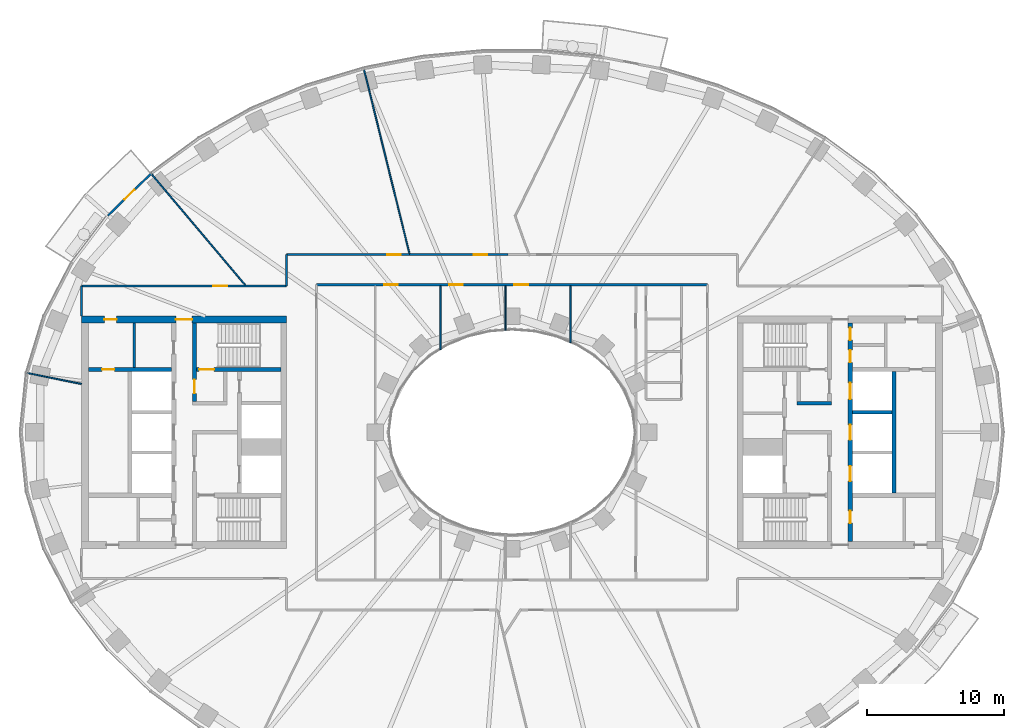
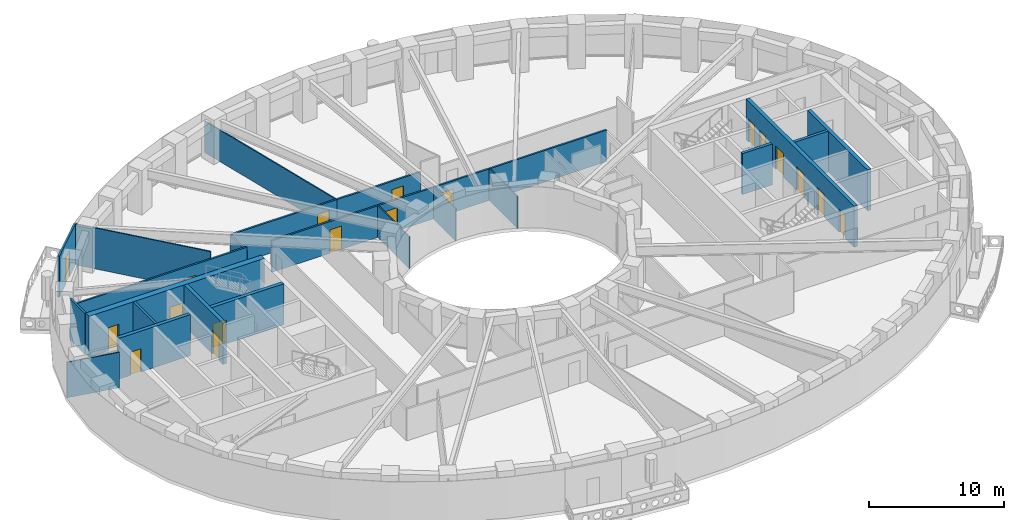
# One storey, part 5 of 16: 22 walls, 18 doors, 18 openings.
"""IFC4 building model written with IfcOpenShell, lengths in metres."""

from ifc_helpers import new_model, si_unit, direction, frame, frame_2d, origin, place, context, subcontext, project, spatial, rectangle, extrude, material, layer, layer_set, type_object, element, fill, save


model = new_model("IFC4")

# Units and contexts
model_context = context("Model", 3, precision=1e-05, world=origin(), true_north=direction((0.0, 1.0)))
body_context = subcontext(model_context, "Body", "Model", "MODEL_VIEW")
ifc_project = project(units=[si_unit("LENGTHUNIT", "METRE"), si_unit("AREAUNIT", "SQUARE_METRE"), si_unit("VOLUMEUNIT", "CUBIC_METRE"), si_unit("PLANEANGLEUNIT", "RADIAN"), si_unit("MASSUNIT", "GRAM", prefix="KILO")], contexts=[model_context])

# Site, building, storey
site_placement = place(None, origin())
site = spatial("IfcSite", under=ifc_project, at=site_placement, CompositionType="ELEMENT")
building_placement = place(site_placement, origin())
building = spatial("IfcBuilding", under=site, at=building_placement, Name="Noorbagh Ring Tower", CompositionType="ELEMENT")
storey_placement = place(building_placement, frame((0.0, 0.0, 100.0)))
storey = spatial("IfcBuildingStorey", under=building, at=storey_placement, Name="L22", CompositionType="ELEMENT", Elevation=100.0)

# Walls
ifc_material_1 = material(Name="Gypsum board on steel studs", Category="steel")
ifc_layer_1 = layer(ifc_material_1, 0.199951171875)
ifc_layer_set_1 = layer_set([ifc_layer_1], Name="Gypsum board on steel studs")
wall_type_1 = type_object("IfcWallType", Name="CORE-PARTITION-200", PredefinedType="PARTITIONING", material=ifc_layer_set_1)
wall_1_placement = place(storey_placement, frame((-27.64990234375, 4.75, 0.0), z_axis=(0.0, 0.0, 1.0), x_axis=(0.0, 1.0, 0.0)))
element("IfcWall", 1, at=wall_1_placement, inside=storey, type_object=wall_type_1, Name="Core partition W", PredefinedType="PARTITIONING", context=body_context, shape_type="SweptSolid", body=[
    extrude(rectangle(XDim=3.25, YDim=0.199951171875, at=frame_2d((1.625, 0.0))), origin(), (0.0, 0.0, 1.0), 3.699951171875),
])
ifc_material_2 = material(Name="Concrete C70/85", Category="concrete")
ifc_layer_2 = layer(ifc_material_2, 0.25)
ifc_layer_set_2 = layer_set([ifc_layer_2], Name="Concrete C70/85")
wall_type_2 = type_object("IfcWallType", Name="CORE-WALL-250-C70-85-EI120", PredefinedType="SHEAR", material=ifc_layer_set_2)
wall_2_placement = place(storey_placement, frame((24.89990234375, 1.47509765625, 0.0), z_axis=(0.0, 0.0, 1.0), x_axis=(1.0, 0.0, 0.0)))
element("IfcWall", 2, at=wall_2_placement, inside=storey, type_object=wall_type_2, Name="Core wall E", PredefinedType="SHEAR", context=body_context, shape_type="SweptSolid", body=[
    extrude(rectangle(XDim=2.900146484375, YDim=0.25, at=frame_2d((1.4501953125, 0.0))), origin(), (0.0, 0.0, 1.0), 3.699951171875),
])
ifc_material_3 = material(Name="Concrete C70/85", Category="concrete")
ifc_layer_3 = layer(ifc_material_3, 0.25)
ifc_layer_set_3 = layer_set([ifc_layer_3], Name="Concrete C70/85")
wall_type_3 = type_object("IfcWallType", Name="CORE-WALL-250-C70-85-EI240", PredefinedType="SHEAR", material=ifc_layer_set_3)
wall_3_placement = place(storey_placement, frame((20.85009765625, 2.125, 0.0), z_axis=(0.0, 0.0, 1.0), x_axis=(1.0, 0.0, 0.0)))
element("IfcWall", 3, at=wall_3_placement, inside=storey, type_object=wall_type_3, Name="Core wall E", PredefinedType="SHEAR", context=body_context, shape_type="SweptSolid", body=[
    extrude(rectangle(XDim=2.52978515625, YDim=0.25, at=frame_2d((1.264892578125, 0.0))), origin(), (0.0, 0.0, 1.0), 3.699951171875),
])
ifc_material_4 = material(Name="Concrete C70/85", Category="concrete")
ifc_layer_4 = layer(ifc_material_4, 0.300048828125)
ifc_layer_set_4 = layer_set([ifc_layer_4], Name="Concrete C70/85")
wall_type_4 = type_object("IfcWallType", Name="CORE-WALL-300-C70-85-EI120", PredefinedType="SHEAR", material=ifc_layer_set_4)
wall_4_placement = place(storey_placement, frame((27.949951171875, -4.449951171875, 0.0), z_axis=(0.0, 0.0, 1.0), x_axis=(0.0, 1.0, 0.0)))
element("IfcWall", 4, at=wall_4_placement, inside=storey, type_object=wall_type_4, Name="Core wall E", PredefinedType="SHEAR", context=body_context, shape_type="SweptSolid", body=[
    extrude(rectangle(XDim=8.89990234375, YDim=0.300048828125, at=frame_2d((4.449951171875, 0.0))), origin(), (0.0, 0.0, 1.0), 3.699951171875),
])

# Wall, openings, doors
wall_5_placement = place(storey_placement, frame((24.75, -8.0, 0.0), z_axis=(0.0, 0.0, 1.0), x_axis=(0.0, 1.0, 0.0)))
wall_5 = element("IfcWall", 5, at=wall_5_placement, inside=storey, type_object=wall_type_4, Name="Core wall E", PredefinedType="SHEAR", context=body_context, shape_type="SweptSolid", body=[
    extrude(rectangle(XDim=16.0, YDim=0.300048828125, at=frame_2d((8.0, 0.0))), origin(), (0.0, 0.0, 1.0), 3.699951171875),
])
opening_1_placement = place(wall_5_placement, frame((4.425048828125, 0.0, 0.0)))
opening_1 = element("IfcOpeningElement", 6, at=opening_1_placement, cuts=wall_5, Name="Opening L22-CE02", PredefinedType="OPENING", context=body_context, shape_type="SweptSolid", body=[
    extrude(rectangle(XDim=1.10009765625, YDim=2.10009765625, at=frame_2d((0.550048828125, 1.050048828125))), frame((0.0, 0.16015625, 0.0), z_axis=(0.0, -1.0, 0.0), x_axis=(1.0, 0.0, 0.0)), (0.0, 0.0, 1.0), 0.320068359375),
])
opening_2_placement = place(wall_5_placement, frame((7.449951171875, 0.0, 0.0)))
opening_2 = element("IfcOpeningElement", 7, at=opening_2_placement, cuts=wall_5, Name="Opening L22-CE03", PredefinedType="OPENING", context=body_context, shape_type="SweptSolid", body=[
    extrude(rectangle(XDim=1.10009765625, YDim=2.10009765625, at=frame_2d((0.550048828125, 1.050048828125))), frame((0.0, 0.16015625, 0.0), z_axis=(0.0, -1.0, 0.0), x_axis=(1.0, 0.0, 0.0)), (0.0, 0.0, 1.0), 0.320068359375),
])
opening_3_placement = place(wall_5_placement, frame((10.425048828125, 0.0, 0.0)))
opening_3 = element("IfcOpeningElement", 8, at=opening_3_placement, cuts=wall_5, Name="Opening L22-CE04", PredefinedType="OPENING", context=body_context, shape_type="SweptSolid", body=[
    extrude(rectangle(XDim=1.199951171875, YDim=2.10009765625, at=frame_2d((0.60009765625, 1.050048828125))), frame((0.0, 0.16015625, 0.0), z_axis=(0.0, -1.0, 0.0), x_axis=(1.0, 0.0, 0.0)), (0.0, 0.0, 1.0), 0.320068359375),
])
opening_4_placement = place(wall_5_placement, frame((13.125, 0.0, 0.0)))
opening_4 = element("IfcOpeningElement", 9, at=opening_4_placement, cuts=wall_5, Name="Opening L22-CE13", PredefinedType="OPENING", context=body_context, shape_type="SweptSolid", body=[
    extrude(rectangle(XDim=0.89990234375, YDim=2.10009765625, at=frame_2d((0.449951171875, 1.050048828125))), frame((0.0, 0.16015625, 0.0), z_axis=(0.0, -1.0, 0.0), x_axis=(1.0, 0.0, 0.0)), (0.0, 0.0, 1.0), 0.320068359375),
])
opening_5_placement = place(wall_5_placement, frame((14.75, 0.0, 0.0)))
opening_5 = element("IfcOpeningElement", 10, at=opening_5_placement, cuts=wall_5, Name="Opening L22-CE14", PredefinedType="OPENING", context=body_context, shape_type="SweptSolid", body=[
    extrude(rectangle(XDim=0.89990234375, YDim=2.10009765625, at=frame_2d((0.449951171875, 1.050048828125))), frame((0.0, 0.16015625, 0.0), z_axis=(0.0, -1.0, 0.0), x_axis=(1.0, 0.0, 0.0)), (0.0, 0.0, 1.0), 0.320068359375),
])
opening_6_placement = place(wall_5_placement, frame((1.35009765625, 0.0, 0.0)))
opening_6 = element("IfcOpeningElement", 11, at=opening_6_placement, cuts=wall_5, Name="Opening L22-CE16", PredefinedType="OPENING", context=body_context, shape_type="SweptSolid", body=[
    extrude(rectangle(XDim=0.89990234375, YDim=2.10009765625, at=frame_2d((0.449951171875, 1.050048828125))), frame((0.0, 0.16015625, 0.0), z_axis=(0.0, -1.0, 0.0), x_axis=(1.0, 0.0, 0.0)), (0.0, 0.0, 1.0), 0.320068359375),
])
ifc_material_5 = material(Name="Steel door leaf", Category="steel")
door_type_1 = type_object("IfcDoorType", Name="CORE-DOOR-DROOM", OperationType="SINGLE_SWING_LEFT", PredefinedType="DOOR", material=ifc_material_5)
door_1_placement = place(opening_4_placement, origin())
door_1 = element("IfcDoor", 12, at=door_1_placement, inside=storey, type_object=door_type_1, Name="Core room door L22-CE13", OperationType="SINGLE_SWING_RIGHT", OverallHeight=2.10009765625, OverallWidth=0.89990234375, PredefinedType="DOOR", context=body_context, shape_type="SweptSolid", body=[
    extrude(rectangle(XDim=0.89990234375, YDim=2.10009765625, at=frame_2d((0.449951171875, 1.050048828125))), frame((0.0, 0.02490234375, 0.0), z_axis=(0.0, -1.0, 0.0), x_axis=(1.0, 0.0, 0.0)), (0.0, 0.0, 1.0), 0.050048828125),
])
fill(opening_4, door_1)
door_2_placement = place(opening_5_placement, origin())
door_2 = element("IfcDoor", 13, at=door_2_placement, inside=storey, type_object=door_type_1, Name="Core room door L22-CE14", OperationType="SINGLE_SWING_LEFT", OverallHeight=2.10009765625, OverallWidth=0.89990234375, PredefinedType="DOOR", context=body_context, shape_type="SweptSolid", body=[
    extrude(rectangle(XDim=0.89990234375, YDim=2.10009765625, at=frame_2d((0.449951171875, 1.050048828125))), frame((0.0, 0.02490234375, 0.0), z_axis=(0.0, -1.0, 0.0), x_axis=(1.0, 0.0, 0.0)), (0.0, 0.0, 1.0), 0.050048828125),
])
fill(opening_5, door_2)
door_3_placement = place(opening_6_placement, origin())
door_3 = element("IfcDoor", 14, at=door_3_placement, inside=storey, type_object=door_type_1, Name="Core room door L22-CE16", OperationType="SINGLE_SWING_RIGHT", OverallHeight=2.10009765625, OverallWidth=0.89990234375, PredefinedType="DOOR", context=body_context, shape_type="SweptSolid", body=[
    extrude(rectangle(XDim=0.89990234375, YDim=2.10009765625, at=frame_2d((0.449951171875, 1.050048828125))), frame((0.0, 0.02490234375, 0.0), z_axis=(0.0, -1.0, 0.0), x_axis=(1.0, 0.0, 0.0)), (0.0, 0.0, 1.0), 0.050048828125),
])
fill(opening_6, door_3)
ifc_material_6 = material(Name="Steel door leaf", Category="steel")
door_type_2 = type_object("IfcDoorType", Name="CORE-DOOR-LD", OperationType="DOUBLE_DOOR_SLIDING", PredefinedType="DOOR", material=ifc_material_6)
door_4_placement = place(opening_1_placement, origin())
door_4 = element("IfcDoor", 15, at=door_4_placement, inside=storey, type_object=door_type_2, Name="Landing door LR3 L22-CE02", OperationType="DOUBLE_DOOR_SLIDING", OverallHeight=2.10009765625, OverallWidth=1.10009765625, PredefinedType="DOOR", context=body_context, shape_type="SweptSolid", body=[
    extrude(rectangle(XDim=1.10009765625, YDim=2.10009765625, at=frame_2d((0.550048828125, 1.050048828125))), frame((0.0, 0.02490234375, 0.0), z_axis=(0.0, -1.0, 0.0), x_axis=(1.0, 0.0, 0.0)), (0.0, 0.0, 1.0), 0.050048828125),
])
fill(opening_1, door_4)
door_5_placement = place(opening_2_placement, origin())
door_5 = element("IfcDoor", 16, at=door_5_placement, inside=storey, type_object=door_type_2, Name="Landing door LR4 L22-CE03", OperationType="DOUBLE_DOOR_SLIDING", OverallHeight=2.10009765625, OverallWidth=1.10009765625, PredefinedType="DOOR", context=body_context, shape_type="SweptSolid", body=[
    extrude(rectangle(XDim=1.10009765625, YDim=2.10009765625, at=frame_2d((0.550048828125, 1.050048828125))), frame((0.0, 0.02490234375, 0.0), z_axis=(0.0, -1.0, 0.0), x_axis=(1.0, 0.0, 0.0)), (0.0, 0.0, 1.0), 0.050048828125),
])
fill(opening_2, door_5)
ifc_material_7 = material(Name="Steel door leaf", Category="steel")
door_type_3 = type_object("IfcDoorType", Name="CORE-DOOR-LDW", OperationType="DOUBLE_DOOR_SLIDING", PredefinedType="DOOR", material=ifc_material_7)
door_6_placement = place(opening_3_placement, origin())
door_6 = element("IfcDoor", 17, at=door_6_placement, inside=storey, type_object=door_type_3, Name="Landing door SV2 L22-CE04", OperationType="DOUBLE_DOOR_SLIDING", OverallHeight=2.10009765625, OverallWidth=1.199951171875, PredefinedType="DOOR", context=body_context, shape_type="SweptSolid", body=[
    extrude(rectangle(XDim=1.199951171875, YDim=2.10009765625, at=frame_2d((0.60009765625, 1.050048828125))), frame((0.0, 0.02490234375, 0.0), z_axis=(0.0, -1.0, 0.0), x_axis=(1.0, 0.0, 0.0)), (0.0, 0.0, 1.0), 0.050048828125),
])
fill(opening_3, door_6)

# Wall, opening, door
ifc_material_8 = material(Name="Concrete C70/85", Category="concrete")
ifc_layer_5 = layer(ifc_material_8, 0.300048828125)
ifc_layer_set_5 = layer_set([ifc_layer_5], Name="Concrete C70/85")
wall_type_5 = type_object("IfcWallType", Name="CORE-WALL-300-C70-85-EI240", PredefinedType="SHEAR", material=ifc_layer_set_5)
wall_6_placement = place(storey_placement, frame((-24.89990234375, 4.60009765625, 0.0), z_axis=(0.0, 0.0, 1.0), x_axis=(-1.0, 0.0, 0.0)))
wall_6 = element("IfcWall", 18, at=wall_6_placement, inside=storey, type_object=wall_type_5, Name="Core wall W", PredefinedType="SHEAR", context=body_context, shape_type="SweptSolid", body=[
    extrude(rectangle(XDim=6.10009765625, YDim=0.300048828125, at=frame_2d((3.050048828125, 0.0))), origin(), (0.0, 0.0, 1.0), 3.699951171875),
])
opening_7_placement = place(wall_6_placement, frame((4.199951171875, 0.0, 0.0)))
opening_7 = element("IfcOpeningElement", 19, at=opening_7_placement, cuts=wall_6, Name="Opening L22-CW17", PredefinedType="OPENING", context=body_context, shape_type="SweptSolid", body=[
    extrude(rectangle(XDim=0.89990234375, YDim=2.10009765625, at=frame_2d((0.449951171875, 1.050048828125))), frame((0.0, 0.16015625, 0.0), z_axis=(0.0, -1.0, 0.0), x_axis=(1.0, 0.0, 0.0)), (0.0, 0.0, 1.0), 0.320068359375),
])
door_7_placement = place(opening_7_placement, origin())
door_7 = element("IfcDoor", 20, at=door_7_placement, inside=storey, type_object=door_type_1, Name="Core room door L22-CW17", OperationType="SINGLE_SWING_LEFT", OverallHeight=2.10009765625, OverallWidth=0.89990234375, PredefinedType="DOOR", context=body_context, shape_type="SweptSolid", body=[
    extrude(rectangle(XDim=0.89990234375, YDim=2.10009765625, at=frame_2d((0.449951171875, 1.050048828125))), frame((0.0, 0.02490234375, 0.0), z_axis=(0.0, -1.0, 0.0), x_axis=(1.0, 0.0, 0.0)), (0.0, 0.0, 1.0), 0.050048828125),
])
fill(opening_7, door_7)

wall_7_placement = place(storey_placement, frame((-23.22998046875, 2.25, 0.0), z_axis=(0.0, 0.0, 1.0), x_axis=(0.0, 1.0, 0.0)))
wall_7 = element("IfcWall", 21, at=wall_7_placement, inside=storey, type_object=wall_type_5, Name="Core wall W", PredefinedType="SHEAR", context=body_context, shape_type="SweptSolid", body=[
    extrude(rectangle(XDim=5.75, YDim=0.300048828125, at=frame_2d((2.875, 0.0))), origin(), (0.0, 0.0, 1.0), 3.699951171875),
])
opening_8_placement = place(wall_7_placement, frame((0.60009765625, 0.0, 0.0)))
opening_8 = element("IfcOpeningElement", 22, at=opening_8_placement, cuts=wall_7, Name="Opening L22-CW08", PredefinedType="OPENING", context=body_context, shape_type="SweptSolid", body=[
    extrude(rectangle(XDim=1.0, YDim=2.10009765625, at=frame_2d((0.5, 1.050048828125))), frame((0.0, 0.16015625, 0.0), z_axis=(0.0, -1.0, 0.0), x_axis=(1.0, 0.0, 0.0)), (0.0, 0.0, 1.0), 0.320068359375),
])
ifc_material_9 = material(Name="Steel door leaf", Category="steel")
door_type_4 = type_object("IfcDoorType", Name="CORE-DOOR-DVEST", OperationType="SINGLE_SWING_LEFT", PredefinedType="DOOR", material=ifc_material_9)
door_8_placement = place(opening_8_placement, origin())
door_8 = element("IfcDoor", 23, at=door_8_placement, inside=storey, type_object=door_type_4, Name="Stair vestibule door L22-CW08", OperationType="SINGLE_SWING_LEFT", OverallHeight=2.10009765625, OverallWidth=1.0, PredefinedType="DOOR", context=body_context, shape_type="SweptSolid", body=[
    extrude(rectangle(XDim=1.0, YDim=2.10009765625, at=frame_2d((0.5, 1.050048828125))), frame((0.0, 0.02490234375, 0.0), z_axis=(0.0, -1.0, 0.0), x_axis=(1.0, 0.0, 0.0)), (0.0, 0.0, 1.0), 0.050048828125),
])
fill(opening_8, door_8)

wall_8_placement = place(storey_placement, frame((-16.89990234375, 4.60009765625, 0.0), z_axis=(0.0, 0.0, 1.0), x_axis=(-1.0, 0.0, 0.0)))
wall_8 = element("IfcWall", 24, at=wall_8_placement, inside=storey, type_object=wall_type_5, Name="Core wall W", PredefinedType="SHEAR", context=body_context, shape_type="SweptSolid", body=[
    extrude(rectangle(XDim=6.18017578125, YDim=0.300048828125, at=frame_2d((3.090087890625, 0.0))), origin(), (0.0, 0.0, 1.0), 3.699951171875),
])
opening_9_placement = place(wall_8_placement, frame((4.89990234375, 0.0, 0.0)))
opening_9 = element("IfcOpeningElement", 25, at=opening_9_placement, cuts=wall_8, Name="Opening L22-CW05", PredefinedType="OPENING", context=body_context, shape_type="SweptSolid", body=[
    extrude(rectangle(XDim=1.10009765625, YDim=2.10009765625, at=frame_2d((0.550048828125, 1.050048828125))), frame((0.0, 0.16015625, 0.0), z_axis=(0.0, -1.0, 0.0), x_axis=(1.0, 0.0, 0.0)), (0.0, 0.0, 1.0), 0.320068359375),
])
ifc_material_10 = material(Name="Steel door leaf", Category="steel")
door_type_5 = type_object("IfcDoorType", Name="CORE-DOOR-DSTAIR", OperationType="SINGLE_SWING_LEFT", PredefinedType="DOOR", material=ifc_material_10)
door_9_placement = place(opening_9_placement, origin())
door_9 = element("IfcDoor", 26, at=door_9_placement, inside=storey, type_object=door_type_5, Name="Stair door ST1 L22-CW05", OperationType="SINGLE_SWING_RIGHT", OverallHeight=2.10009765625, OverallWidth=1.10009765625, PredefinedType="DOOR", context=body_context, shape_type="SweptSolid", body=[
    extrude(rectangle(XDim=1.10009765625, YDim=2.10009765625, at=frame_2d((0.550048828125, 1.050048828125))), frame((0.0, 0.02490234375, 0.0), z_axis=(0.0, -1.0, 0.0), x_axis=(1.0, 0.0, 0.0)), (0.0, 0.0, 1.0), 0.050048828125),
])
fill(opening_9, door_9)

# Wall, openings, doors
ifc_material_11 = material(Name="Concrete C70/85", Category="concrete")
ifc_layer_6 = layer(ifc_material_11, 0.5)
ifc_layer_set_6 = layer_set([ifc_layer_6], Name="Concrete C70/85")
wall_type_6 = type_object("IfcWallType", Name="CORE-WALL-500-C70-85-EI240", PredefinedType="SHEAR", material=ifc_layer_set_6)
wall_9_placement = place(storey_placement, frame((-16.5, 8.25, 0.0), z_axis=(0.0, 0.0, 1.0), x_axis=(-1.0, 0.0, 0.0)))
wall_9 = element("IfcWall", 27, at=wall_9_placement, inside=storey, type_object=wall_type_6, Name="Core wall W", PredefinedType="SHEAR", context=body_context, shape_type="SweptSolid", body=[
    extrude(rectangle(XDim=15.0, YDim=0.5, at=frame_2d((7.5, 0.0))), origin(), (0.0, 0.0, 1.0), 3.699951171875),
])
opening_10_placement = place(wall_9_placement, frame((6.89990234375, 0.0, 0.0)))
opening_10 = element("IfcOpeningElement", 28, at=opening_10_placement, cuts=wall_9, Name="Opening L22-CW09", PredefinedType="OPENING", context=body_context, shape_type="SweptSolid", body=[
    extrude(rectangle(XDim=1.199951171875, YDim=2.10009765625, at=frame_2d((0.60009765625, 1.050048828125))), frame((0.0, 0.260009765625, 0.0), z_axis=(0.0, -1.0, 0.0), x_axis=(1.0, 0.0, 0.0)), (0.0, 0.0, 1.0), 0.52001953125),
])
opening_11_placement = place(wall_9_placement, frame((12.425048828125, 0.0, 0.0)))
opening_11 = element("IfcOpeningElement", 29, at=opening_11_placement, cuts=wall_9, Name="Opening L22-CW13", PredefinedType="OPENING", context=body_context, shape_type="SweptSolid", body=[
    extrude(rectangle(XDim=0.89990234375, YDim=2.10009765625, at=frame_2d((0.449951171875, 1.050048828125))), frame((0.0, 0.260009765625, 0.0), z_axis=(0.0, -1.0, 0.0), x_axis=(1.0, 0.0, 0.0)), (0.0, 0.0, 1.0), 0.52001953125),
])
door_10_placement = place(opening_11_placement, origin())
door_10 = element("IfcDoor", 30, at=door_10_placement, inside=storey, type_object=door_type_1, Name="Core room door L22-CW13", OperationType="SINGLE_SWING_RIGHT", OverallHeight=2.10009765625, OverallWidth=0.89990234375, PredefinedType="DOOR", context=body_context, shape_type="SweptSolid", body=[
    extrude(rectangle(XDim=0.89990234375, YDim=2.10009765625, at=frame_2d((0.449951171875, 1.050048828125))), frame((0.0, 0.02490234375, 0.0), z_axis=(0.0, -1.0, 0.0), x_axis=(1.0, 0.0, 0.0)), (0.0, 0.0, 1.0), 0.050048828125),
])
fill(opening_11, door_10)
ifc_material_12 = material(Name="Steel door leaf", Category="steel")
door_type_6 = type_object("IfcDoorType", Name="CORE-DOOR-PORT", OperationType="DOUBLE_DOOR_DOUBLE_SWING", PredefinedType="DOOR", material=ifc_material_12)
door_11_placement = place(opening_10_placement, origin())
door_11 = element("IfcDoor", 31, at=door_11_placement, inside=storey, type_object=door_type_6, Name="Core entrance door L22-CW09", OperationType="DOUBLE_DOOR_DOUBLE_SWING", OverallHeight=2.10009765625, OverallWidth=1.199951171875, PredefinedType="DOOR", context=body_context, shape_type="SweptSolid", body=[
    extrude(rectangle(XDim=1.199951171875, YDim=2.10009765625, at=frame_2d((0.60009765625, 1.050048828125))), frame((0.0, 0.02490234375, 0.0), z_axis=(0.0, -1.0, 0.0), x_axis=(1.0, 0.0, 0.0)), (0.0, 0.0, 1.0), 0.050048828125),
])
fill(opening_10, door_11)

# Wall
ifc_material_13 = material(Name="Gypsum board on steel studs", Category="steel")
ifc_layer_7 = layer(ifc_material_13, 0.14990234375)
ifc_layer_set_7 = layer_set([ifc_layer_7], Name="Gypsum board on steel studs")
wall_type_7 = type_object("IfcWallType", Name="CORRIDOR PARTITION 150 EI 30", PredefinedType="PARTITIONING", material=ifc_layer_set_7)
wall_10_placement = place(storey_placement, frame((-31.5, 8.5, 0.0), z_axis=(0.0, 0.0, 1.0), x_axis=(0.0, 1.0, 0.0)))
element("IfcWall", 32, at=wall_10_placement, inside=storey, type_object=wall_type_7, Name="L22/wall/P05", PredefinedType="PARTITIONING", context=body_context, shape_type="SweptSolid", body=[
    extrude(rectangle(XDim=2.199951171875, YDim=0.14990234375, at=frame_2d((1.10009765625, 0.0))), origin(), (0.0, 0.0, 1.0), 3.699951171875),
])

# Wall, opening, door
wall_11_placement = place(storey_placement, frame((-31.5, 10.699951171875, 0.0), z_axis=(0.0, 0.0, 1.0), x_axis=(1.0, 0.0, 0.0)))
wall_11 = element("IfcWall", 33, at=wall_11_placement, inside=storey, type_object=wall_type_7, Name="L22/wall/P06", PredefinedType="PARTITIONING", context=body_context, shape_type="SweptSolid", body=[
    extrude(rectangle(XDim=15.0, YDim=0.14990234375, at=frame_2d((7.5, 0.0))), origin(), (0.0, 0.0, 1.0), 3.10009765625),
])
opening_12_placement = place(wall_11_placement, frame((9.655029296875, 0.0, 0.0)))
opening_12 = element("IfcOpeningElement", 34, at=opening_12_placement, cuts=wall_11, Name="Opening D1", PredefinedType="OPENING", context=body_context, shape_type="SweptSolid", body=[
    extrude(rectangle(XDim=1.0, YDim=2.10009765625, at=frame_2d((0.5, 1.050048828125))), frame((0.0, 0.0849609375, 0.0), z_axis=(0.0, -1.0, 0.0), x_axis=(1.0, 0.0, 0.0)), (0.0, 0.0, 1.0), 0.169921875),
])
ifc_material_14 = material(Name="Timber, painted", Category="wood")
door_type_7 = type_object("IfcDoorType", Name="DOOR 1000 X 2100 FD30", OperationType="SINGLE_SWING_LEFT", PredefinedType="DOOR", material=ifc_material_14)
door_12_placement = place(opening_12_placement, origin())
door_12 = element("IfcDoor", 35, at=door_12_placement, inside=storey, type_object=door_type_7, Name="L22-D07", OperationType="SINGLE_SWING_LEFT", OverallHeight=2.10009765625, OverallWidth=1.0, PredefinedType="DOOR", context=body_context, shape_type="SweptSolid", body=[
    extrude(rectangle(XDim=1.0, YDim=2.10009765625, at=frame_2d((0.5, 1.050048828125))), frame((0.0, 0.02490234375, 0.0), z_axis=(0.0, -1.0, 0.0), x_axis=(1.0, 0.0, 0.0)), (0.0, 0.0, 1.0), 0.050048828125),
])
fill(opening_12, door_12)

# Wall
wall_12_placement = place(storey_placement, frame((-16.5, 10.699951171875, 0.0), z_axis=(0.0, 0.0, 1.0), x_axis=(0.0, 1.0, 0.0)))
element("IfcWall", 36, at=wall_12_placement, inside=storey, type_object=wall_type_7, Name="L22/wall/P11", PredefinedType="PARTITIONING", context=body_context, shape_type="SweptSolid", body=[
    extrude(rectangle(XDim=2.300048828125, YDim=0.14990234375, at=frame_2d((1.14990234375, 0.0))), origin(), (0.0, 0.0, 1.0), 2.75),
])

# Wall, opening, door
wall_13_placement = place(storey_placement, frame((-16.5, 13.0, 0.0), z_axis=(0.0, 0.0, 1.0), x_axis=(1.0, 0.0, 0.0)))
wall_13 = element("IfcWall", 37, at=wall_13_placement, inside=storey, type_object=wall_type_7, Name="L22/wall/P12", PredefinedType="PARTITIONING", context=body_context, shape_type="SweptSolid", body=[
    extrude(rectangle(XDim=9.0009765625, YDim=0.14990234375, at=frame_2d((4.50048828125, 0.0))), origin(), (0.0, 0.0, 1.0), 2.85009765625),
])
opening_13_placement = place(wall_13_placement, frame((7.366943359375, 0.0, 0.0)))
opening_13 = element("IfcOpeningElement", 38, at=opening_13_placement, cuts=wall_13, Name="Opening D1", PredefinedType="OPENING", context=body_context, shape_type="SweptSolid", body=[
    extrude(rectangle(XDim=1.0, YDim=2.10009765625, at=frame_2d((0.5, 1.050048828125))), frame((0.0, 0.0849609375, 0.0), z_axis=(0.0, -1.0, 0.0), x_axis=(1.0, 0.0, 0.0)), (0.0, 0.0, 1.0), 0.169921875),
])
door_13_placement = place(opening_13_placement, origin())
door_13 = element("IfcDoor", 39, at=door_13_placement, inside=storey, type_object=door_type_7, Name="L22-D09", OperationType="SINGLE_SWING_LEFT", OverallHeight=2.10009765625, OverallWidth=1.0, PredefinedType="DOOR", context=body_context, shape_type="SweptSolid", body=[
    extrude(rectangle(XDim=1.0, YDim=2.10009765625, at=frame_2d((0.5, 1.050048828125))), frame((0.0, 0.02490234375, 0.0), z_axis=(0.0, -1.0, 0.0), x_axis=(1.0, 0.0, 0.0)), (0.0, 0.0, 1.0), 0.050048828125),
])
fill(opening_13, door_13)

# Wall, openings, doors
wall_14_placement = place(storey_placement, frame((-14.300048828125, 10.800048828125, 0.0), z_axis=(0.0, 0.0, 1.0), x_axis=(1.0, 0.0, 0.0)))
wall_14 = element("IfcWall", 40, at=wall_14_placement, inside=storey, type_object=wall_type_7, Name="L22/wall/P15", PredefinedType="PARTITIONING", context=body_context, shape_type="SweptSolid", body=[
    extrude(rectangle(XDim=28.60009765625, YDim=0.14990234375, at=frame_2d((14.300048828125, 0.0))), origin(), (0.0, 0.0, 1.0), 2.85009765625),
])
opening_14_placement = place(wall_14_placement, frame((4.93994140625, 0.0, 0.0)))
opening_14 = element("IfcOpeningElement", 41, at=opening_14_placement, cuts=wall_14, Name="Opening D1", PredefinedType="OPENING", context=body_context, shape_type="SweptSolid", body=[
    extrude(rectangle(XDim=1.0, YDim=2.10009765625, at=frame_2d((0.5, 1.050048828125))), frame((0.0, 0.0849609375, 0.0), z_axis=(0.0, -1.0, 0.0), x_axis=(1.0, 0.0, 0.0)), (0.0, 0.0, 1.0), 0.169921875),
])
opening_15_placement = place(wall_14_placement, frame((9.70703125, 0.0, 0.0)))
opening_15 = element("IfcOpeningElement", 42, at=opening_15_placement, cuts=wall_14, Name="Opening D1", PredefinedType="OPENING", context=body_context, shape_type="SweptSolid", body=[
    extrude(rectangle(XDim=1.0, YDim=2.10009765625, at=frame_2d((0.5, 1.050048828125))), frame((0.0, 0.0849609375, 0.0), z_axis=(0.0, -1.0, 0.0), x_axis=(1.0, 0.0, 0.0)), (0.0, 0.0, 1.0), 0.169921875),
])
opening_16_placement = place(wall_14_placement, frame((14.472900390625, 0.0, 0.0)))
opening_16 = element("IfcOpeningElement", 43, at=opening_16_placement, cuts=wall_14, Name="Opening D1", PredefinedType="OPENING", context=body_context, shape_type="SweptSolid", body=[
    extrude(rectangle(XDim=1.0, YDim=2.10009765625, at=frame_2d((0.5, 1.050048828125))), frame((0.0, 0.0849609375, 0.0), z_axis=(0.0, -1.0, 0.0), x_axis=(1.0, 0.0, 0.0)), (0.0, 0.0, 1.0), 0.169921875),
])
door_14_placement = place(opening_14_placement, origin())
door_14 = element("IfcDoor", 44, at=door_14_placement, inside=storey, type_object=door_type_7, Name="L22-D17", OperationType="SINGLE_SWING_LEFT", OverallHeight=2.10009765625, OverallWidth=1.0, PredefinedType="DOOR", context=body_context, shape_type="SweptSolid", body=[
    extrude(rectangle(XDim=1.0, YDim=2.10009765625, at=frame_2d((0.5, 1.050048828125))), frame((0.0, 0.02490234375, 0.0), z_axis=(0.0, -1.0, 0.0), x_axis=(1.0, 0.0, 0.0)), (0.0, 0.0, 1.0), 0.050048828125),
])
fill(opening_14, door_14)
door_15_placement = place(opening_15_placement, origin())
door_15 = element("IfcDoor", 45, at=door_15_placement, inside=storey, type_object=door_type_7, Name="L22-D19", OperationType="SINGLE_SWING_LEFT", OverallHeight=2.10009765625, OverallWidth=1.0, PredefinedType="DOOR", context=body_context, shape_type="SweptSolid", body=[
    extrude(rectangle(XDim=1.0, YDim=2.10009765625, at=frame_2d((0.5, 1.050048828125))), frame((0.0, 0.02490234375, 0.0), z_axis=(0.0, -1.0, 0.0), x_axis=(1.0, 0.0, 0.0)), (0.0, 0.0, 1.0), 0.050048828125),
])
fill(opening_15, door_15)
door_16_placement = place(opening_16_placement, origin())
door_16 = element("IfcDoor", 46, at=door_16_placement, inside=storey, type_object=door_type_7, Name="L22-D21", OperationType="SINGLE_SWING_LEFT", OverallHeight=2.10009765625, OverallWidth=1.0, PredefinedType="DOOR", context=body_context, shape_type="SweptSolid", body=[
    extrude(rectangle(XDim=1.0, YDim=2.10009765625, at=frame_2d((0.5, 1.050048828125))), frame((0.0, 0.02490234375, 0.0), z_axis=(0.0, -1.0, 0.0), x_axis=(1.0, 0.0, 0.0)), (0.0, 0.0, 1.0), 0.050048828125),
])
fill(opening_16, door_16)

# Wall, opening, door
wall_15_placement = place(storey_placement, frame((-7.48291015625, 13.0, 0.0), z_axis=(0.0, 0.0, 1.0), x_axis=(1.0, 0.0, 0.0)))
wall_15 = element("IfcWall", 47, at=wall_15_placement, inside=storey, type_object=wall_type_7, Name="L22/wall/P18", PredefinedType="PARTITIONING", context=body_context, shape_type="SweptSolid", body=[
    extrude(rectangle(XDim=7.183837890625, YDim=0.14990234375, at=frame_2d((3.591796875, 0.0))), origin(), (0.0, 0.0, 1.0), 2.85009765625),
])
opening_17_placement = place(wall_15_placement, frame((4.68310546875, 0.0, 0.0)))
opening_17 = element("IfcOpeningElement", 48, at=opening_17_placement, cuts=wall_15, Name="Opening D1", PredefinedType="OPENING", context=body_context, shape_type="SweptSolid", body=[
    extrude(rectangle(XDim=1.0, YDim=2.10009765625, at=frame_2d((0.5, 1.050048828125))), frame((0.0, 0.0849609375, 0.0), z_axis=(0.0, -1.0, 0.0), x_axis=(1.0, 0.0, 0.0)), (0.0, 0.0, 1.0), 0.169921875),
])
door_17_placement = place(opening_17_placement, origin())
door_17 = element("IfcDoor", 49, at=door_17_placement, inside=storey, type_object=door_type_7, Name="L22-D11", OperationType="SINGLE_SWING_LEFT", OverallHeight=2.10009765625, OverallWidth=1.0, PredefinedType="DOOR", context=body_context, shape_type="SweptSolid", body=[
    extrude(rectangle(XDim=1.0, YDim=2.10009765625, at=frame_2d((0.5, 1.050048828125))), frame((0.0, 0.02490234375, 0.0), z_axis=(0.0, -1.0, 0.0), x_axis=(1.0, 0.0, 0.0)), (0.0, 0.0, 1.0), 0.050048828125),
])
fill(opening_17, door_17)

ifc_material_15 = material(Name="Insulated aluminium clad panel", Category="aluminium")
ifc_layer_8 = layer(ifc_material_15, 0.14990234375)
ifc_layer_set_8 = layer_set([ifc_layer_8], Name="Insulated aluminium clad panel")
wall_type_8 = type_object("IfcWallType", Name="ENV-WALL-DOOR", PredefinedType="STANDARD", material=ifc_layer_set_8)
wall_16_placement = place(storey_placement, frame((-26.396484375, 18.943359375, 0.0), z_axis=(0.0, 0.0, 1.0), x_axis=(-0.717214761864, -0.696852197647, 0.0)))
wall_16 = element("IfcWall", 50, at=wall_16_placement, inside=storey, type_object=wall_type_8, Name="Balcony door wall chord 19", PredefinedType="STANDARD", context=body_context, shape_type="SweptSolid", body=[
    extrude(rectangle(XDim=4.424072265625, YDim=0.14990234375, at=frame_2d((2.2119140625, 0.0))), origin(), (0.0, 0.0, 1.0), 3.699951171875),
])
opening_18_placement = place(wall_16_placement, frame((1.712158203125, 0.0, 0.0)))
opening_18 = element("IfcOpeningElement", 51, at=opening_18_placement, cuts=wall_16, Name="Opening D-BL", PredefinedType="OPENING", context=body_context, shape_type="SweptSolid", body=[
    extrude(rectangle(XDim=1.0, YDim=2.39990234375, at=frame_2d((0.5, 1.199951171875))), frame((0.0, 0.0849609375, 0.0), z_axis=(0.0, -1.0, 0.0), x_axis=(1.0, 0.0, 0.0)), (0.0, 0.0, 1.0), 0.169921875),
])
ifc_material_16 = material(Name="Aluminium and glass", Category="aluminium")
door_type_8 = type_object("IfcDoorType", Name="ENV-DOOR-BALCONY", OperationType="SINGLE_SWING_LEFT", PredefinedType="DOOR", material=ifc_material_16)
door_18_placement = place(opening_18_placement, origin())
door_18 = element("IfcDoor", 52, at=door_18_placement, inside=storey, type_object=door_type_8, Name="Balcony door chord 19", OperationType="SINGLE_SWING_LEFT", OverallHeight=2.39990234375, OverallWidth=1.0, PredefinedType="DOOR", context=body_context, shape_type="SweptSolid", body=[
    extrude(rectangle(XDim=1.0, YDim=2.39990234375, at=frame_2d((0.5, 1.199951171875))), frame((0.0, 0.02490234375, 0.0), z_axis=(0.0, -1.0, 0.0), x_axis=(1.0, 0.0, 0.0)), (0.0, 0.0, 1.0), 0.050048828125),
])
fill(opening_18, door_18)

# Walls
ifc_material_17 = material(Name="Gypsum board on steel studs", Category="steel")
ifc_layer_9 = layer(ifc_material_17, 0.10009765625)
ifc_layer_set_9 = layer_set([ifc_layer_9], Name="Gypsum board on steel studs")
wall_type_9 = type_object("IfcWallType", Name="PARTITION 100 GYPSUM", PredefinedType="PARTITIONING", material=ifc_layer_set_9)
wall_17_placement = place(storey_placement, frame((-35.511962890625, 4.34912109375, 0.0), z_axis=(0.0, 0.0, 1.0), x_axis=(0.980357474535, -0.197228857227, 0.0)))
element("IfcWall", 53, at=wall_17_placement, inside=storey, type_object=wall_type_9, Name="L22/wall/P01", PredefinedType="PARTITIONING", context=body_context, shape_type="SweptSolid", body=[
    extrude(rectangle(XDim=4.09228515625, YDim=0.10009765625, at=frame_2d((2.046142578125, 0.0))), origin(), (0.0, 0.0, 1.0), 3.199951171875),
])
wall_18_placement = place(storey_placement, frame((-26.429931640625, 18.945068359375, 0.0), z_axis=(0.0, 0.0, 1.0), x_axis=(0.646400187952, -0.762998556365, 0.0)))
element("IfcWall", 54, at=wall_18_placement, inside=storey, type_object=wall_type_9, Name="L22/wall/P07", PredefinedType="PARTITIONING", context=body_context, shape_type="SweptSolid", body=[
    extrude(rectangle(XDim=10.703857421875, YDim=0.10009765625, at=frame_2d((5.35205078125, 0.0))), origin(), (0.0, 0.0, 1.0), 3.699951171875),
])
wall_19_placement = place(storey_placement, frame((-10.85302734375, 26.64599609375, 0.0), z_axis=(0.0, 0.0, 1.0), x_axis=(0.239763745499, -0.97083126564, 0.0)))
element("IfcWall", 55, at=wall_19_placement, inside=storey, type_object=wall_type_9, Name="L22/wall/P16", PredefinedType="PARTITIONING", context=body_context, shape_type="SweptSolid", body=[
    extrude(rectangle(XDim=14.055908203125, YDim=0.10009765625, at=frame_2d((7.02783203125, 0.0))), origin(), (0.0, 0.0, 1.0), 2.85009765625),
])
wall_20_placement = place(storey_placement, frame((-5.242919921875, 6.05908203125, 0.0), z_axis=(0.0, 0.0, 1.0), x_axis=(0.0, 1.0, 0.0)))
element("IfcWall", 56, at=wall_20_placement, inside=storey, type_object=wall_type_9, Name="L22/wall/P20", PredefinedType="PARTITIONING", context=body_context, shape_type="SweptSolid", body=[
    extrude(rectangle(XDim=4.666015625, YDim=0.10009765625, at=frame_2d((2.3330078125, 0.0))), origin(), (0.0, 0.0, 1.0), 2.89990234375),
])
wall_21_placement = place(storey_placement, frame((-0.47705078125, 7.468017578125, 0.0), z_axis=(0.0, 0.0, 1.0), x_axis=(0.0, 1.0, 0.0)))
element("IfcWall", 57, at=wall_21_placement, inside=storey, type_object=wall_type_9, Name="L22/wall/P23", PredefinedType="PARTITIONING", context=body_context, shape_type="SweptSolid", body=[
    extrude(rectangle(XDim=3.257080078125, YDim=0.10009765625, at=frame_2d((1.62841796875, 0.0))), origin(), (0.0, 0.0, 1.0), 2.89990234375),
])
wall_22_placement = place(storey_placement, frame((4.2900390625, 6.568115234375, 0.0), z_axis=(0.0, 0.0, 1.0), x_axis=(0.0, 1.0, 0.0)))
element("IfcWall", 58, at=wall_22_placement, inside=storey, type_object=wall_type_9, Name="L22/wall/P31", PredefinedType="PARTITIONING", context=body_context, shape_type="SweptSolid", body=[
    extrude(rectangle(XDim=4.156982421875, YDim=0.10009765625, at=frame_2d((2.07861328125, 0.0))), origin(), (0.0, 0.0, 1.0), 2.89990234375),
])

save(model, "model.ifc")
